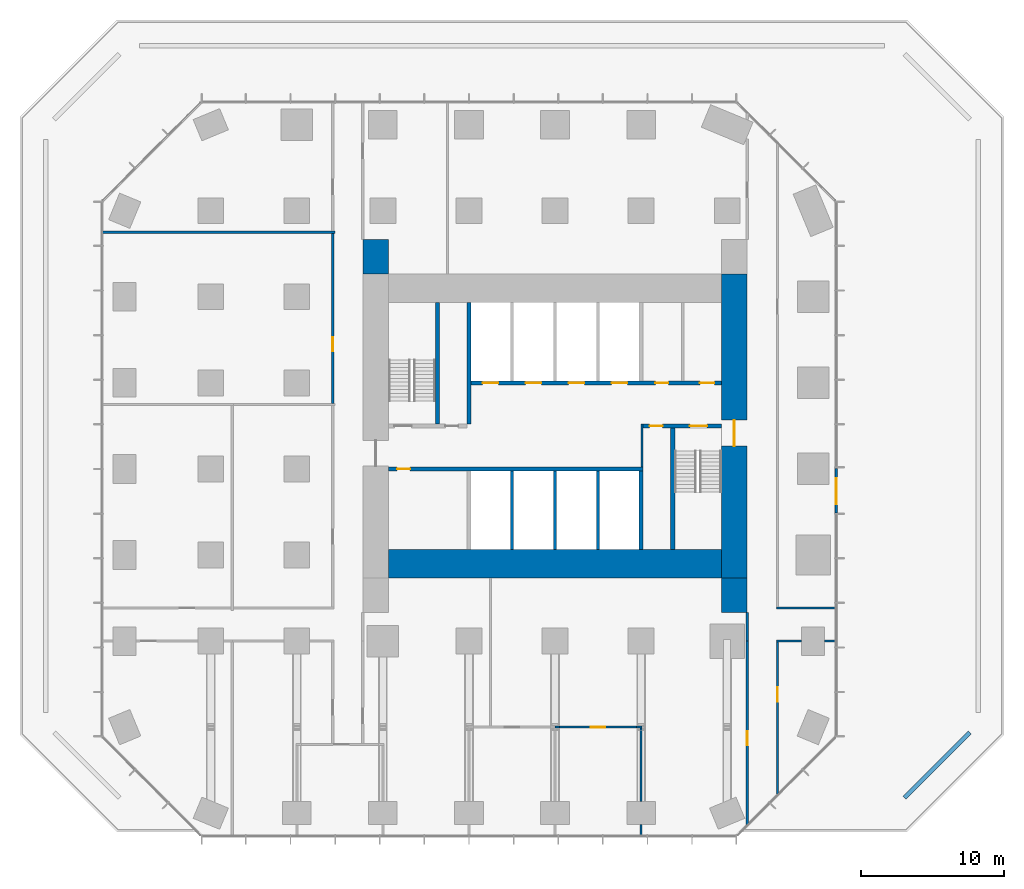
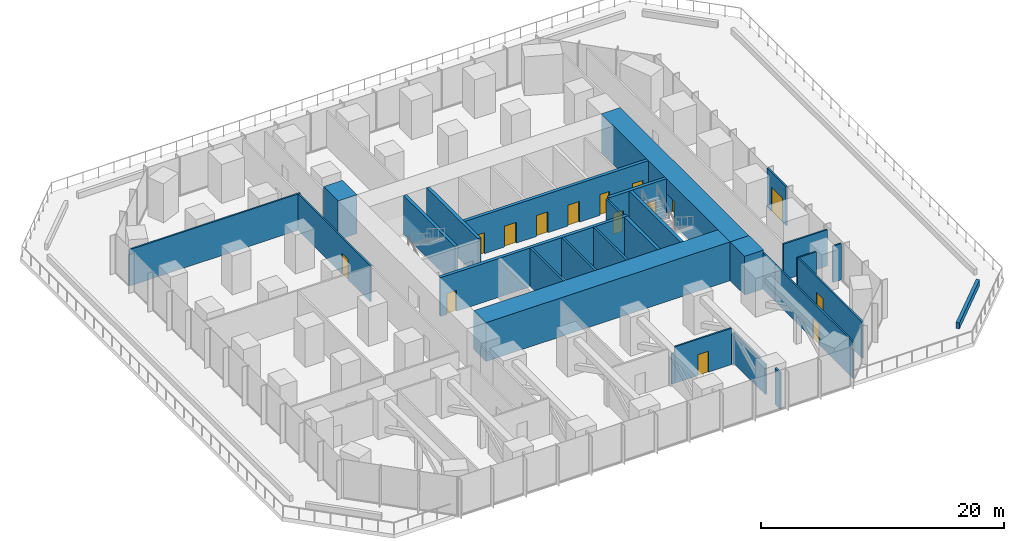
# One storey, part 9 of 11: 30 walls, 15 doors, 15 openings.
"""IFC4 building model written with IfcOpenShell, lengths in metres."""

from ifc_helpers import new_model, si_unit, direction, frame, frame_2d, origin, place, context, subcontext, project, spatial, rectangle, extrude, material, layer, layer_set, type_object, element, fill, save


model = new_model("IFC4")

# Units and contexts
model_context = context("Model", 3, precision=1e-05, world=origin(), true_north=direction((0.0, 1.0)))
body_context = subcontext(model_context, "Body", "Model", "MODEL_VIEW")
ifc_project = project(units=[si_unit("LENGTHUNIT", "METRE"), si_unit("AREAUNIT", "SQUARE_METRE"), si_unit("VOLUMEUNIT", "CUBIC_METRE"), si_unit("PLANEANGLEUNIT", "RADIAN"), si_unit("MASSUNIT", "GRAM", prefix="KILO")], contexts=[model_context])

# Site, building, storey
site_placement = place(None, origin())
site = spatial("IfcSite", under=ifc_project, at=site_placement, CompositionType="ELEMENT")
building_placement = place(site_placement, origin())
building = spatial("IfcBuilding", under=site, at=building_placement, Name="Highveld Stack Headquarters", CompositionType="ELEMENT")
storey_placement = place(building_placement, frame((0.0, 0.0, 18.199951171875)))
storey = spatial("IfcBuildingStorey", under=building, at=storey_placement, Name="L03", CompositionType="ELEMENT", Elevation=18.199951171875)

# Wall, opening, door
ifc_material_1 = material(Name="Concrete C60/75", Category="concrete")
ifc_layer_1 = layer(ifc_material_1, 1.800048828125)
ifc_layer_set_1 = layer_set([ifc_layer_1], Name="Concrete C60/75")
wall_type_1 = type_object("IfcWallType", Name="CORE WALL 1800 C60/75", PredefinedType="SHEAR", material=ifc_layer_set_1)
wall_1_placement = place(storey_placement, frame((18.5, -7.60009765625, 0.0), z_axis=(0.0, 0.0, 1.0), x_axis=(0.0, 1.0, 0.0)))
wall_1 = element("IfcWall", 1, at=wall_1_placement, inside=storey, type_object=wall_type_1, Name="Core wall E L03", PredefinedType="SHEAR", context=body_context, shape_type="SweptSolid", body=[
    extrude(rectangle(XDim=21.2001953125, YDim=1.800048828125, at=frame_2d((10.60009765625, 0.0))), origin(), (0.0, 0.0, 1.0), 3.900146484375),
])
opening_1_placement = place(wall_1_placement, frame((9.199951171875, 0.0, 0.0)))
opening_1 = element("IfcOpeningElement", 2, at=opening_1_placement, cuts=wall_1, Name="Opening L03-03", PredefinedType="OPENING", context=body_context, shape_type="SweptSolid", body=[
    extrude(rectangle(XDim=1.800048828125, YDim=2.39990234375, at=frame_2d((0.89990234375, 1.199951171875))), frame((0.0, 0.909912109375, 0.0), z_axis=(0.0, -1.0, 0.0), x_axis=(1.0, 0.0, 0.0)), (0.0, 0.0, 1.0), 1.820068359375),
])
ifc_material_2 = material(Name="Steel fire door", Category="steel")
door_type_1 = type_object("IfcDoorType", Name="LOBBY FIRE DOOR D4 1800x2400", OperationType="DOUBLE_DOOR_SINGLE_SWING", PredefinedType="DOOR", material=ifc_material_2)
door_1_placement = place(opening_1_placement, origin())
door_1 = element("IfcDoor", 3, at=door_1_placement, inside=storey, type_object=door_type_1, Name="Core east door L03", OperationType="DOUBLE_DOOR_SINGLE_SWING", OverallHeight=2.39990234375, OverallWidth=1.800048828125, PredefinedType="DOOR", context=body_context, shape_type="SweptSolid", body=[
    extrude(rectangle(XDim=1.800048828125, YDim=2.39990234375, at=frame_2d((0.89990234375, 1.199951171875))), frame((0.0, 0.02490234375, 0.0), z_axis=(0.0, -1.0, 0.0), x_axis=(1.0, 0.0, 0.0)), (0.0, 0.0, 1.0), 0.050048828125),
])
fill(opening_1, door_1)

# Wall
ifc_material_3 = material(Name="Concrete C60/75", Category="concrete")
ifc_layer_2 = layer(ifc_material_3, 2.0)
ifc_layer_set_2 = layer_set([ifc_layer_2], Name="Concrete C60/75")
wall_type_2 = type_object("IfcWallType", Name="CORE WALL 2000 C60/75", PredefinedType="SHEAR", material=ifc_layer_set_2)
wall_2_placement = place(storey_placement, frame((-5.60009765625, -6.60009765625, 0.0), z_axis=(0.0, 0.0, 1.0), x_axis=(1.0, 0.0, 0.0)))
element("IfcWall", 4, at=wall_2_placement, inside=storey, type_object=wall_type_2, Name="Core wall S L03", PredefinedType="SHEAR", context=body_context, shape_type="SweptSolid", body=[
    extrude(rectangle(XDim=23.2001953125, YDim=2.0, at=frame_2d((11.60009765625, 0.0))), origin(), (0.0, 0.0, 1.0), 3.900146484375),
])

# Wall, opening, door
ifc_material_4 = material(Name="Concrete C60/75", Category="concrete")
ifc_layer_3 = layer(ifc_material_4, 0.300048828125)
ifc_layer_set_3 = layer_set([ifc_layer_3], Name="Concrete C60/75")
wall_type_3 = type_object("IfcWallType", Name="CORE WALL 300 C60/75", PredefinedType="SHEAR", material=ifc_layer_set_3)
wall_3_placement = place(storey_placement, frame((-5.60009765625, 0.0, 0.0), z_axis=(0.0, 0.0, 1.0), x_axis=(1.0, 0.0, 0.0)))
wall_3 = element("IfcWall", 5, at=wall_3_placement, inside=storey, type_object=wall_type_3, Name="Core wall I-Y0 L03", PredefinedType="SHEAR", context=body_context, shape_type="SweptSolid", body=[
    extrude(rectangle(XDim=17.75, YDim=0.300048828125, at=frame_2d((8.875, 0.0))), origin(), (0.0, 0.0, 1.0), 3.900146484375),
])
opening_2_placement = place(wall_3_placement, frame((0.60009765625, 0.0, 0.0)))
opening_2 = element("IfcOpeningElement", 6, at=opening_2_placement, cuts=wall_3, Name="Opening L03-08", PredefinedType="OPENING", context=body_context, shape_type="SweptSolid", body=[
    extrude(rectangle(XDim=0.89990234375, YDim=2.10009765625, at=frame_2d((0.449951171875, 1.050048828125))), frame((0.0, 0.159912109375, 0.0), z_axis=(0.0, -1.0, 0.0), x_axis=(1.0, 0.0, 0.0)), (0.0, 0.0, 1.0), 0.320068359375),
])
ifc_material_5 = material(Name="Timber door, painted", Category="wood")
door_type_2 = type_object("IfcDoorType", Name="WC DOOR D1 900x2100", OperationType="SINGLE_SWING_LEFT", PredefinedType="DOOR", material=ifc_material_5)
door_2_placement = place(opening_2_placement, origin())
door_2 = element("IfcDoor", 7, at=door_2_placement, inside=storey, type_object=door_type_2, Name="Female WC door L03", OperationType="SINGLE_SWING_LEFT", OverallHeight=2.10009765625, OverallWidth=0.89990234375, PredefinedType="DOOR", context=body_context, shape_type="SweptSolid", body=[
    extrude(rectangle(XDim=0.89990234375, YDim=2.10009765625, at=frame_2d((0.449951171875, 1.050048828125))), frame((0.0, 0.02490234375, 0.0), z_axis=(0.0, -1.0, 0.0), x_axis=(1.0, 0.0, 0.0)), (0.0, 0.0, 1.0), 0.050048828125),
])
fill(opening_2, door_2)

# Wall, openings, doors
wall_4_placement = place(storey_placement, frame((12.14990234375, 3.0, 0.0), z_axis=(0.0, 0.0, 1.0), x_axis=(1.0, 0.0, 0.0)))
wall_4 = element("IfcWall", 8, at=wall_4_placement, inside=storey, type_object=wall_type_3, Name="Core wall I-Y3E L03", PredefinedType="SHEAR", context=body_context, shape_type="SweptSolid", body=[
    extrude(rectangle(XDim=5.4501953125, YDim=0.300048828125, at=frame_2d((2.72509765625, 0.0))), origin(), (0.0, 0.0, 1.0), 3.900146484375),
])
opening_3_placement = place(wall_4_placement, frame((3.25, 0.0, 0.0)))
opening_3 = element("IfcOpeningElement", 9, at=opening_3_placement, cuts=wall_4, Name="Opening L03-06", PredefinedType="OPENING", context=body_context, shape_type="SweptSolid", body=[
    extrude(rectangle(XDim=1.199951171875, YDim=2.10009765625, at=frame_2d((0.60009765625, 1.050048828125))), frame((0.0, 0.159912109375, 0.0), z_axis=(0.0, -1.0, 0.0), x_axis=(1.0, 0.0, 0.0)), (0.0, 0.0, 1.0), 0.320068359375),
])
opening_4_placement = place(wall_4_placement, frame((0.449951171875, 0.0, 0.0)))
opening_4 = element("IfcOpeningElement", 10, at=opening_4_placement, cuts=wall_4, Name="Opening L03-07", PredefinedType="OPENING", context=body_context, shape_type="SweptSolid", body=[
    extrude(rectangle(XDim=0.89990234375, YDim=2.10009765625, at=frame_2d((0.449951171875, 1.050048828125))), frame((0.0, 0.159912109375, 0.0), z_axis=(0.0, -1.0, 0.0), x_axis=(1.0, 0.0, 0.0)), (0.0, 0.0, 1.0), 0.320068359375),
])
ifc_material_6 = material(Name="Steel fire door", Category="steel")
door_type_3 = type_object("IfcDoorType", Name="RISER ACCESS DOOR D5 900x2100", OperationType="SINGLE_SWING_LEFT", PredefinedType="DOOR", material=ifc_material_6)
door_3_placement = place(opening_4_placement, origin())
door_3 = element("IfcDoor", 11, at=door_3_placement, inside=storey, type_object=door_type_3, Name="Riser R2 door L03", OperationType="SINGLE_SWING_LEFT", OverallHeight=2.10009765625, OverallWidth=0.89990234375, PredefinedType="DOOR", context=body_context, shape_type="SweptSolid", body=[
    extrude(rectangle(XDim=0.89990234375, YDim=2.10009765625, at=frame_2d((0.449951171875, 1.050048828125))), frame((0.0, 0.02490234375, 0.0), z_axis=(0.0, -1.0, 0.0), x_axis=(1.0, 0.0, 0.0)), (0.0, 0.0, 1.0), 0.050048828125),
])
fill(opening_4, door_3)
ifc_material_7 = material(Name="Steel fire door", Category="steel")
door_type_4 = type_object("IfcDoorType", Name="STAIR FIRE DOOR D3 1200x2100", OperationType="SINGLE_SWING_LEFT", PredefinedType="DOOR", material=ifc_material_7)
door_4_placement = place(opening_3_placement, origin())
door_4 = element("IfcDoor", 12, at=door_4_placement, inside=storey, type_object=door_type_4, Name="Stair S2 door L03", OperationType="SINGLE_SWING_RIGHT", OverallHeight=2.10009765625, OverallWidth=1.199951171875, PredefinedType="DOOR", context=body_context, shape_type="SweptSolid", body=[
    extrude(rectangle(XDim=1.199951171875, YDim=2.10009765625, at=frame_2d((0.60009765625, 1.050048828125))), frame((0.0, 0.02490234375, 0.0), z_axis=(0.0, -1.0, 0.0), x_axis=(1.0, 0.0, 0.0)), (0.0, 0.0, 1.0), 0.050048828125),
])
fill(opening_3, door_4)

wall_5_placement = place(storey_placement, frame((-0.14990234375, 6.0, 0.0), z_axis=(0.0, 0.0, 1.0), x_axis=(1.0, 0.0, 0.0)))
wall_5 = element("IfcWall", 13, at=wall_5_placement, inside=storey, type_object=wall_type_3, Name="Core wall I-Y6 L03", PredefinedType="SHEAR", context=body_context, shape_type="SweptSolid", body=[
    extrude(rectangle(XDim=17.75, YDim=0.300048828125, at=frame_2d((8.875, 0.0))), origin(), (0.0, 0.0, 1.0), 3.900146484375),
])
opening_5_placement = place(wall_5_placement, frame((13.14990234375, 0.0, 0.0)))
opening_5 = element("IfcOpeningElement", 14, at=opening_5_placement, cuts=wall_5, Name="Opening L03-09", PredefinedType="OPENING", context=body_context, shape_type="SweptSolid", body=[
    extrude(rectangle(XDim=0.89990234375, YDim=2.10009765625, at=frame_2d((0.449951171875, 1.050048828125))), frame((0.0, 0.159912109375, 0.0), z_axis=(0.0, -1.0, 0.0), x_axis=(1.0, 0.0, 0.0)), (0.0, 0.0, 1.0), 0.320068359375),
])
opening_6_placement = place(wall_5_placement, frame((16.25, 0.0, 0.0)))
opening_6 = element("IfcOpeningElement", 15, at=opening_6_placement, cuts=wall_5, Name="Opening L03-10", PredefinedType="OPENING", context=body_context, shape_type="SweptSolid", body=[
    extrude(rectangle(XDim=1.0, YDim=2.10009765625, at=frame_2d((0.5, 1.050048828125))), frame((0.0, 0.159912109375, 0.0), z_axis=(0.0, -1.0, 0.0), x_axis=(1.0, 0.0, 0.0)), (0.0, 0.0, 1.0), 0.320068359375),
])
opening_7_placement = place(wall_5_placement, frame((1.10009765625, 0.0, 0.0)))
opening_7 = element("IfcOpeningElement", 16, at=opening_7_placement, cuts=wall_5, Name="Opening LD", PredefinedType="OPENING", context=body_context, shape_type="SweptSolid", body=[
    extrude(rectangle(XDim=1.10009765625, YDim=2.10009765625, at=frame_2d((0.550048828125, 1.050048828125))), frame((0.0, 0.159912109375, 0.0), z_axis=(0.0, -1.0, 0.0), x_axis=(1.0, 0.0, 0.0)), (0.0, 0.0, 1.0), 0.320068359375),
])
opening_8_placement = place(wall_5_placement, frame((4.10009765625, 0.0, 0.0)))
opening_8 = element("IfcOpeningElement", 17, at=opening_8_placement, cuts=wall_5, Name="Opening LD", PredefinedType="OPENING", context=body_context, shape_type="SweptSolid", body=[
    extrude(rectangle(XDim=1.10009765625, YDim=2.10009765625, at=frame_2d((0.550048828125, 1.050048828125))), frame((0.0, 0.159912109375, 0.0), z_axis=(0.0, -1.0, 0.0), x_axis=(1.0, 0.0, 0.0)), (0.0, 0.0, 1.0), 0.320068359375),
])
opening_9_placement = place(wall_5_placement, frame((7.10009765625, 0.0, 0.0)))
opening_9 = element("IfcOpeningElement", 18, at=opening_9_placement, cuts=wall_5, Name="Opening LD", PredefinedType="OPENING", context=body_context, shape_type="SweptSolid", body=[
    extrude(rectangle(XDim=1.10009765625, YDim=2.10009765625, at=frame_2d((0.550048828125, 1.050048828125))), frame((0.0, 0.159912109375, 0.0), z_axis=(0.0, -1.0, 0.0), x_axis=(1.0, 0.0, 0.0)), (0.0, 0.0, 1.0), 0.320068359375),
])
opening_10_placement = place(wall_5_placement, frame((10.10009765625, 0.0, 0.0)))
opening_10 = element("IfcOpeningElement", 19, at=opening_10_placement, cuts=wall_5, Name="Opening LD", PredefinedType="OPENING", context=body_context, shape_type="SweptSolid", body=[
    extrude(rectangle(XDim=1.10009765625, YDim=2.10009765625, at=frame_2d((0.550048828125, 1.050048828125))), frame((0.0, 0.159912109375, 0.0), z_axis=(0.0, -1.0, 0.0), x_axis=(1.0, 0.0, 0.0)), (0.0, 0.0, 1.0), 0.320068359375),
])
ifc_material_8 = material(Name="Timber door, painted", Category="wood")
door_type_5 = type_object("IfcDoorType", Name="ACCESSIBLE WC DOOR D2 1000x2100", OperationType="SINGLE_SWING_RIGHT", PredefinedType="DOOR", material=ifc_material_8)
door_5_placement = place(opening_6_placement, origin())
door_5 = element("IfcDoor", 20, at=door_5_placement, inside=storey, type_object=door_type_5, Name="Accessible WC door L03", OperationType="SINGLE_SWING_RIGHT", OverallHeight=2.10009765625, OverallWidth=1.0, PredefinedType="DOOR", context=body_context, shape_type="SweptSolid", body=[
    extrude(rectangle(XDim=1.0, YDim=2.10009765625, at=frame_2d((0.5, 1.050048828125))), frame((0.0, 0.02490234375, 0.0), z_axis=(0.0, -1.0, 0.0), x_axis=(1.0, 0.0, 0.0)), (0.0, 0.0, 1.0), 0.050048828125),
])
fill(opening_6, door_5)
ifc_material_9 = material(Name="Stainless steel lift landing door", Category="steel")
door_type_6 = type_object("IfcDoorType", Name="LIFT LANDING DOOR LD 1100x2100", OperationType="DOUBLE_DOOR_SLIDING", PredefinedType="USERDEFINED", material=ifc_material_9)
door_6_placement = place(opening_7_placement, origin())
door_6 = element("IfcDoor", 21, at=door_6_placement, inside=storey, type_object=door_type_6, Name="Lift landing door FF1 L03", ObjectType="LIFT LANDING DOOR", OperationType="DOUBLE_DOOR_SLIDING", OverallHeight=2.10009765625, OverallWidth=1.10009765625, PredefinedType="USERDEFINED", context=body_context, shape_type="SweptSolid", body=[
    extrude(rectangle(XDim=1.10009765625, YDim=2.10009765625, at=frame_2d((0.550048828125, 1.050048828125))), frame((0.0, 0.02490234375, 0.0), z_axis=(0.0, -1.0, 0.0), x_axis=(1.0, 0.0, 0.0)), (0.0, 0.0, 1.0), 0.050048828125),
])
fill(opening_7, door_6)
door_7_placement = place(opening_8_placement, origin())
door_7 = element("IfcDoor", 22, at=door_7_placement, inside=storey, type_object=door_type_6, Name="Lift landing door FF2 L03", ObjectType="LIFT LANDING DOOR", OperationType="DOUBLE_DOOR_SLIDING", OverallHeight=2.10009765625, OverallWidth=1.10009765625, PredefinedType="USERDEFINED", context=body_context, shape_type="SweptSolid", body=[
    extrude(rectangle(XDim=1.10009765625, YDim=2.10009765625, at=frame_2d((0.550048828125, 1.050048828125))), frame((0.0, 0.02490234375, 0.0), z_axis=(0.0, -1.0, 0.0), x_axis=(1.0, 0.0, 0.0)), (0.0, 0.0, 1.0), 0.050048828125),
])
fill(opening_8, door_7)
door_8_placement = place(opening_9_placement, origin())
door_8 = element("IfcDoor", 23, at=door_8_placement, inside=storey, type_object=door_type_6, Name="Lift landing door A1 L03", ObjectType="LIFT LANDING DOOR", OperationType="DOUBLE_DOOR_SLIDING", OverallHeight=2.10009765625, OverallWidth=1.10009765625, PredefinedType="USERDEFINED", context=body_context, shape_type="SweptSolid", body=[
    extrude(rectangle(XDim=1.10009765625, YDim=2.10009765625, at=frame_2d((0.550048828125, 1.050048828125))), frame((0.0, 0.02490234375, 0.0), z_axis=(0.0, -1.0, 0.0), x_axis=(1.0, 0.0, 0.0)), (0.0, 0.0, 1.0), 0.050048828125),
])
fill(opening_9, door_8)
door_9_placement = place(opening_10_placement, origin())
door_9 = element("IfcDoor", 24, at=door_9_placement, inside=storey, type_object=door_type_6, Name="Lift landing door A2 L03", ObjectType="LIFT LANDING DOOR", OperationType="DOUBLE_DOOR_SLIDING", OverallHeight=2.10009765625, OverallWidth=1.10009765625, PredefinedType="USERDEFINED", context=body_context, shape_type="SweptSolid", body=[
    extrude(rectangle(XDim=1.10009765625, YDim=2.10009765625, at=frame_2d((0.550048828125, 1.050048828125))), frame((0.0, 0.02490234375, 0.0), z_axis=(0.0, -1.0, 0.0), x_axis=(1.0, 0.0, 0.0)), (0.0, 0.0, 1.0), 0.050048828125),
])
fill(opening_10, door_9)
door_10_placement = place(opening_5_placement, origin())
door_10 = element("IfcDoor", 25, at=door_10_placement, inside=storey, type_object=door_type_2, Name="Male WC door L03", OperationType="SINGLE_SWING_RIGHT", OverallHeight=2.10009765625, OverallWidth=0.89990234375, PredefinedType="DOOR", context=body_context, shape_type="SweptSolid", body=[
    extrude(rectangle(XDim=0.89990234375, YDim=2.10009765625, at=frame_2d((0.449951171875, 1.050048828125))), frame((0.0, 0.02490234375, 0.0), z_axis=(0.0, -1.0, 0.0), x_axis=(1.0, 0.0, 0.0)), (0.0, 0.0, 1.0), 0.050048828125),
])
fill(opening_5, door_10)

# Walls
wall_6_placement = place(storey_placement, frame((0.0, 3.14990234375, 0.0), z_axis=(0.0, 0.0, 1.0), x_axis=(0.0, 1.0, 0.0)))
element("IfcWall", 26, at=wall_6_placement, inside=storey, type_object=wall_type_3, Name="Core wall I-X0N L03", PredefinedType="SHEAR", context=body_context, shape_type="SweptSolid", body=[
    extrude(rectangle(XDim=8.4501953125, YDim=0.300048828125, at=frame_2d((4.22509765625, 0.0))), origin(), (0.0, 0.0, 1.0), 3.900146484375),
])
wall_7_placement = place(storey_placement, frame((12.0, -5.60009765625, 0.0), z_axis=(0.0, 0.0, 1.0), x_axis=(0.0, 1.0, 0.0)))
element("IfcWall", 27, at=wall_7_placement, inside=storey, type_object=wall_type_3, Name="Core wall I-X12S L03", PredefinedType="SHEAR", context=body_context, shape_type="SweptSolid", body=[
    extrude(rectangle(XDim=5.4501953125, YDim=0.300048828125, at=frame_2d((2.72509765625, 0.0))), origin(), (0.0, 0.0, 1.0), 3.900146484375),
])
for number, where, z_axis, x_axis, name in (
    (28, (-2.199951171875, 3.14990234375, 0.0), (0.0, 0.0, 1.0), (0.0, 1.0, 0.0), "Core wall I-RW L03"),
    (29, (14.199951171875, -5.60009765625, 0.0), (0.0, 0.0, 1.0), (0.0, 1.0, 0.0), "Core wall I-RE L03"),
):
    element("IfcWall", number, at=place(storey_placement, frame(where, z_axis=z_axis, x_axis=x_axis)), inside=storey, type_object=wall_type_3, Name=name, PredefinedType="SHEAR", context=body_context, shape_type="SweptSolid", body=[
        extrude(rectangle(XDim=8.4501953125, YDim=0.300048828125, at=frame_2d((4.22509765625, 0.0))), origin(), (0.0, 0.0, 1.0), 3.900146484375),
    ])
ifc_material_10 = material(Name="Concrete C60/75", Category="concrete")
ifc_layer_4 = layer(ifc_material_10, 1.800048828125)
ifc_layer_set_4 = layer_set([ifc_layer_4], Name="Concrete C60/75")
wall_type_4 = type_object("IfcWallType", Name="CORE WING WALL 1800 C60/75", PredefinedType="SHEAR", material=ifc_layer_set_4)
for number, where, z_axis, x_axis, name in (
    (30, (-6.5, 13.60009765625, 0.0), (0.0, 0.0, 1.0), (0.0, 1.0, 0.0), "Core wing wall WN L03"),
    (31, (18.5, -10.0, 0.0), (0.0, 0.0, 1.0), (0.0, 1.0, 0.0), "Core wing wall ES L03"),
):
    element("IfcWall", number, at=place(storey_placement, frame(where, z_axis=z_axis, x_axis=x_axis)), inside=storey, type_object=wall_type_4, Name=name, PredefinedType="SHEAR", context=body_context, shape_type="SweptSolid", body=[
        extrude(rectangle(XDim=2.39990234375, YDim=1.800048828125, at=frame_2d((1.199951171875, 0.0))), origin(), (0.0, 0.0, 1.0), 3.900146484375),
    ])
ifc_material_11 = material(Name="Concrete blockwork, plastered", Category="masonry")
ifc_layer_5 = layer(ifc_material_11, 0.14990234375)
ifc_layer_set_5 = layer_set([ifc_layer_5], Name="Concrete blockwork, plastered")
wall_type_5 = type_object("IfcWallType", Name="FIRE PARTITION 150 BLOCKWORK", PredefinedType="PARTITIONING", material=ifc_layer_set_5)
wall_8_placement = place(storey_placement, frame((12.074951171875, 0.14990234375, 0.0), z_axis=(0.0, 0.0, 1.0), x_axis=(0.0, 1.0, 0.0)))
element("IfcWall", 32, at=wall_8_placement, inside=storey, type_object=wall_type_5, Name="Riser R2 enclosure L03", PredefinedType="PARTITIONING", context=body_context, shape_type="SweptSolid", body=[
    extrude(rectangle(XDim=3.0, YDim=0.14990234375, at=frame_2d((1.5, 0.0))), origin(), (0.0, 0.0, 1.0), 3.650146484375),
])

# Wall, opening, door
ifc_material_12 = material(Name="Aluminium framed glazed screen", Category="aluminium")
ifc_layer_6 = layer(ifc_material_12, 0.14990234375)
ifc_layer_set_6 = layer_set([ifc_layer_6], Name="Aluminium framed glazed screen")
wall_type_6 = type_object("IfcWallType", Name="GLAZED DOOR SCREEN 150", PredefinedType="USERDEFINED", material=ifc_layer_set_6)
wall_9_placement = place(storey_placement, frame((25.60009765625, 0.04248046875, 0.0), z_axis=(0.0, 0.0, 1.0), x_axis=(0.0, -1.0, 0.0)))
wall_9 = element("IfcWall", 33, at=wall_9_placement, inside=storey, type_object=wall_type_6, Name="Glazed door screen L03 E", ObjectType="GLAZED SCREEN", PredefinedType="USERDEFINED", context=body_context, shape_type="SweptSolid", body=[
    extrude(rectangle(XDim=3.120361328125, YDim=0.14990234375, at=frame_2d((1.56005859375, 0.0))), origin(), (0.0, 0.0, 1.0), 3.900146484375),
])
opening_11_placement = place(wall_9_placement, frame((0.69775390625, 0.0, 0.0)))
opening_11 = element("IfcOpeningElement", 34, at=opening_11_placement, cuts=wall_9, Name="Opening L03-01", PredefinedType="OPENING", context=body_context, shape_type="SweptSolid", body=[
    extrude(rectangle(XDim=1.800048828125, YDim=2.39990234375, at=frame_2d((0.89990234375, 1.199951171875))), frame((0.0, 0.0849609375, 0.0), z_axis=(0.0, -1.0, 0.0), x_axis=(1.0, 0.0, 0.0)), (0.0, 0.0, 1.0), 0.169921875),
])
ifc_material_13 = material(Name="Aluminium framed glass door", Category="aluminium")
door_type_7 = type_object("IfcDoorType", Name="TERRACE DOOR D8 1800x2400", OperationType="DOUBLE_DOOR_SINGLE_SWING", PredefinedType="DOOR", material=ifc_material_13)
door_11_placement = place(opening_11_placement, origin())
door_11 = element("IfcDoor", 35, at=door_11_placement, inside=storey, type_object=door_type_7, Name="Terrace door L03 E", OperationType="DOUBLE_DOOR_SINGLE_SWING", OverallHeight=2.39990234375, OverallWidth=1.800048828125, PredefinedType="DOOR", context=body_context, shape_type="SweptSolid", body=[
    extrude(rectangle(XDim=1.800048828125, YDim=2.39990234375, at=frame_2d((0.89990234375, 1.199951171875))), frame((0.0, 0.02490234375, 0.0), z_axis=(0.0, -1.0, 0.0), x_axis=(1.0, 0.0, 0.0)), (0.0, 0.0, 1.0), 0.050048828125),
])
fill(opening_11, door_11)

# Walls
ifc_material_14 = material(Name="Concrete blockwork, fair-faced", Category="masonry")
ifc_layer_7 = layer(ifc_material_14, 0.199951171875)
ifc_layer_set_7 = layer_set([ifc_layer_7], Name="Concrete blockwork, fair-faced")
wall_type_7 = type_object("IfcWallType", Name="LIFT SHAFT ENCLOSURE WALL 200 BLOCKWORK", PredefinedType="SOLIDWALL", material=ifc_layer_set_7)
for number, where, z_axis, x_axis, name in (
    (36, (3.0, -5.60009765625, 0.0), (0.0, 0.0, 1.0), (0.0, 1.0, 0.0), "Lift shaft wall L03"),
    (37, (6.0, -5.60009765625, 0.0), (0.0, 0.0, 1.0), (0.0, 1.0, 0.0), "Lift shaft wall L03"),
    (38, (9.0, -5.60009765625, 0.0), (0.0, 0.0, 1.0), (0.0, 1.0, 0.0), "Lift shaft wall L03"),
):
    element("IfcWall", number, at=place(storey_placement, frame(where, z_axis=z_axis, x_axis=x_axis)), inside=storey, type_object=wall_type_7, Name=name, PredefinedType="SOLIDWALL", context=body_context, shape_type="SweptSolid", body=[
        extrude(rectangle(XDim=5.4501953125, YDim=0.199951171875, at=frame_2d((2.72509765625, 0.0))), origin(), (0.0, 0.0, 1.0), 3.900146484375),
    ])
ifc_material_15 = material(Name="Gypsum plasterboard on steel studs", Category="steel")
ifc_layer_8 = layer(ifc_material_15, 0.14990234375)
ifc_layer_set_8 = layer_set([ifc_layer_8], Name="Gypsum plasterboard on steel studs")
wall_type_8 = type_object("IfcWallType", Name="PARTITION 150 PLASTERBOARD", PredefinedType="PARTITIONING", material=ifc_layer_set_8)
wall_10_placement = place(storey_placement, frame((6.0, -18.0, 0.0), z_axis=(0.0, 0.0, 1.0), x_axis=(1.0, 0.0, 0.0)))
element("IfcWall", 39, at=wall_10_placement, inside=storey, type_object=wall_type_8, Name="Partition Office L03", PredefinedType="PARTITIONING", context=body_context, shape_type="SweptSolid", body=[
    extrude(rectangle(XDim=0.31005859375, YDim=0.14990234375, at=frame_2d((0.155029296875, 0.0))), origin(), (0.0, 0.0, 1.0), 3.050048828125),
])

# Wall, opening, door
wall_11_placement = place(storey_placement, frame((6.31005859375, -18.0, 0.0), z_axis=(0.0, 0.0, 1.0), x_axis=(1.0, 0.0, 0.0)))
wall_11 = element("IfcWall", 40, at=wall_11_placement, inside=storey, type_object=wall_type_8, Name="Partition Office L03", PredefinedType="PARTITIONING", context=body_context, shape_type="SweptSolid", body=[
    extrude(rectangle(XDim=5.3798828125, YDim=0.14990234375, at=frame_2d((2.68994140625, 0.0))), origin(), (0.0, 0.0, 1.0), 3.650146484375),
])
opening_12_placement = place(wall_11_placement, frame((2.18994140625, 0.0, 0.0)))
opening_12 = element("IfcOpeningElement", 41, at=opening_12_placement, cuts=wall_11, Name="Opening L03-13", PredefinedType="OPENING", context=body_context, shape_type="SweptSolid", body=[
    extrude(rectangle(XDim=1.0, YDim=2.10009765625, at=frame_2d((0.5, 1.050048828125))), frame((0.0, 0.0849609375, 0.0), z_axis=(0.0, -1.0, 0.0), x_axis=(1.0, 0.0, 0.0)), (0.0, 0.0, 1.0), 0.169921875),
])
ifc_material_16 = material(Name="Timber door, oiled ash", Category="wood")
door_type_8 = type_object("IfcDoorType", Name="ROOM DOOR D6 1000x2100", OperationType="SINGLE_SWING_LEFT", PredefinedType="DOOR", material=ifc_material_16)
door_12_placement = place(opening_12_placement, origin())
door_12 = element("IfcDoor", 42, at=door_12_placement, inside=storey, type_object=door_type_8, Name="Office door 1 L03", OperationType="SINGLE_SWING_RIGHT", OverallHeight=2.10009765625, OverallWidth=1.0, PredefinedType="DOOR", context=body_context, shape_type="SweptSolid", body=[
    extrude(rectangle(XDim=1.0, YDim=2.10009765625, at=frame_2d((0.5, 1.050048828125))), frame((0.0, 0.02490234375, 0.0), z_axis=(0.0, -1.0, 0.0), x_axis=(1.0, 0.0, 0.0)), (0.0, 0.0, 1.0), 0.050048828125),
])
fill(opening_12, door_12)

# Walls
wall_12_placement = place(storey_placement, frame((11.68994140625, -18.0, 0.0), z_axis=(0.0, 0.0, 1.0), x_axis=(1.0, 0.0, 0.0)))
element("IfcWall", 43, at=wall_12_placement, inside=storey, type_object=wall_type_8, Name="Partition Office L03", PredefinedType="PARTITIONING", context=body_context, shape_type="SweptSolid", body=[
    extrude(rectangle(XDim=0.385009765625, YDim=0.14990234375, at=frame_2d((0.1923828125, 0.0))), origin(), (0.0, 0.0, 1.0), 3.050048828125),
])
wall_13_placement = place(storey_placement, frame((12.0, -25.60009765625, 0.0), z_axis=(0.0, 0.0, 1.0), x_axis=(0.0, 1.0, 0.0)))
element("IfcWall", 44, at=wall_13_placement, inside=storey, type_object=wall_type_8, Name="Partition Office L03", PredefinedType="PARTITIONING", context=body_context, shape_type="SweptSolid", body=[
    extrude(rectangle(XDim=0.800048828125, YDim=0.14990234375, at=frame_2d((0.39990234375, 0.0))), origin(), (0.0, 0.0, 1.0), 3.650146484375),
])
wall_14_placement = place(storey_placement, frame((12.0, -23.199951171875, 0.0), z_axis=(0.0, 0.0, 1.0), x_axis=(0.0, 1.0, 0.0)))
element("IfcWall", 45, at=wall_14_placement, inside=storey, type_object=wall_type_8, Name="Partition Office L03", PredefinedType="PARTITIONING", context=body_context, shape_type="SweptSolid", body=[
    extrude(rectangle(XDim=5.125, YDim=0.14990234375, at=frame_2d((2.5625, 0.0))), origin(), (0.0, 0.0, 1.0), 3.050048828125),
])
wall_15_placement = place(storey_placement, frame((-25.60009765625, 16.5, 0.0), z_axis=(0.0, 0.0, 1.0), x_axis=(1.0, 0.0, 0.0)))
element("IfcWall", 46, at=wall_15_placement, inside=storey, type_object=wall_type_8, Name="Partition office neighbourhood L03", PredefinedType="PARTITIONING", context=body_context, shape_type="SweptSolid", body=[
    extrude(rectangle(XDim=16.25, YDim=0.14990234375, at=frame_2d((8.125, 0.0))), origin(), (0.0, 0.0, 1.0), 3.650146484375),
])

# Wall, opening, door
wall_16_placement = place(storey_placement, frame((-9.5, 4.574951171875, 0.0), z_axis=(0.0, 0.0, 1.0), x_axis=(0.0, 1.0, 0.0)))
wall_16 = element("IfcWall", 47, at=wall_16_placement, inside=storey, type_object=wall_type_8, Name="Partition office neighbourhood L03", PredefinedType="PARTITIONING", context=body_context, shape_type="SweptSolid", body=[
    extrude(rectangle(XDim=11.85009765625, YDim=0.14990234375, at=frame_2d((5.925048828125, 0.0))), origin(), (0.0, 0.0, 1.0), 3.650146484375),
])
opening_13_placement = place(wall_16_placement, frame((3.625, 0.0, 0.0)))
opening_13 = element("IfcOpeningElement", 48, at=opening_13_placement, cuts=wall_16, Name="Opening L03-20", PredefinedType="OPENING", context=body_context, shape_type="SweptSolid", body=[
    extrude(rectangle(XDim=1.0, YDim=2.10009765625, at=frame_2d((0.5, 1.050048828125))), frame((0.0, 0.0849609375, 0.0), z_axis=(0.0, -1.0, 0.0), x_axis=(1.0, 0.0, 0.0)), (0.0, 0.0, 1.0), 0.169921875),
])
door_13_placement = place(opening_13_placement, origin())
door_13 = element("IfcDoor", 49, at=door_13_placement, inside=storey, type_object=door_type_8, Name="Office neighbourhood door L03", OperationType="SINGLE_SWING_LEFT", OverallHeight=2.10009765625, OverallWidth=1.0, PredefinedType="DOOR", context=body_context, shape_type="SweptSolid", body=[
    extrude(rectangle(XDim=1.0, YDim=2.10009765625, at=frame_2d((0.5, 1.050048828125))), frame((0.0, 0.02490234375, 0.0), z_axis=(0.0, -1.0, 0.0), x_axis=(1.0, 0.0, 0.0)), (0.0, 0.0, 1.0), 0.050048828125),
])
fill(opening_13, door_13)

wall_17_placement = place(storey_placement, frame((19.39990234375, -24.77099609375, 0.0), z_axis=(0.0, 0.0, 1.0), x_axis=(0.0, 1.0, 0.0)))
wall_17 = element("IfcWall", 50, at=wall_17_placement, inside=storey, type_object=wall_type_8, Name="Partition office neighbourhood L03", PredefinedType="PARTITIONING", context=body_context, shape_type="SweptSolid", body=[
    extrude(rectangle(XDim=12.77099609375, YDim=0.14990234375, at=frame_2d((6.385498046875, 0.0))), origin(), (0.0, 0.0, 1.0), 3.650146484375),
])
opening_14_placement = place(wall_17_placement, frame((5.5, 0.0, 0.0)))
opening_14 = element("IfcOpeningElement", 51, at=opening_14_placement, cuts=wall_17, Name="Opening L03-24", PredefinedType="OPENING", context=body_context, shape_type="SweptSolid", body=[
    extrude(rectangle(XDim=1.0, YDim=2.10009765625, at=frame_2d((0.5, 1.050048828125))), frame((0.0, 0.0849609375, 0.0), z_axis=(0.0, -1.0, 0.0), x_axis=(1.0, 0.0, 0.0)), (0.0, 0.0, 1.0), 0.169921875),
])
door_14_placement = place(opening_14_placement, origin())
door_14 = element("IfcDoor", 52, at=door_14_placement, inside=storey, type_object=door_type_8, Name="Office neighbourhood door L03", OperationType="SINGLE_SWING_LEFT", OverallHeight=2.10009765625, OverallWidth=1.0, PredefinedType="DOOR", context=body_context, shape_type="SweptSolid", body=[
    extrude(rectangle(XDim=1.0, YDim=2.10009765625, at=frame_2d((0.5, 1.050048828125))), frame((0.0, 0.02490234375, 0.0), z_axis=(0.0, -1.0, 0.0), x_axis=(1.0, 0.0, 0.0)), (0.0, 0.0, 1.0), 0.050048828125),
])
fill(opening_14, door_14)

# Wall
wall_18_placement = place(storey_placement, frame((19.39990234375, -12.0, 0.0), z_axis=(0.0, 0.0, 1.0), x_axis=(0.0, 1.0, 0.0)))
element("IfcWall", 53, at=wall_18_placement, inside=storey, type_object=wall_type_8, Name="Partition office neighbourhood L03", PredefinedType="PARTITIONING", context=body_context, shape_type="SweptSolid", body=[
    extrude(rectangle(XDim=2.0, YDim=0.14990234375, at=frame_2d((1.0, 0.0))), origin(), (0.0, 0.0, 1.0), 3.650146484375),
])

# Wall, opening, door
wall_19_placement = place(storey_placement, frame((21.5, -22.6708984375, 0.0), z_axis=(0.0, 0.0, 1.0), x_axis=(0.0, 1.0, 0.0)))
wall_19 = element("IfcWall", 54, at=wall_19_placement, inside=storey, type_object=wall_type_8, Name="Partition office neighbourhood L03", PredefinedType="PARTITIONING", context=body_context, shape_type="SweptSolid", body=[
    extrude(rectangle(XDim=10.595947265625, YDim=0.14990234375, at=frame_2d((5.2978515625, 0.0))), origin(), (0.0, 0.0, 1.0), 3.650146484375),
])
opening_15_placement = place(wall_19_placement, frame((6.4541015625, 0.0, 0.0)))
opening_15 = element("IfcOpeningElement", 55, at=opening_15_placement, cuts=wall_19, Name="Opening L03-16", PredefinedType="OPENING", context=body_context, shape_type="SweptSolid", body=[
    extrude(rectangle(XDim=1.0, YDim=2.10009765625, at=frame_2d((0.5, 1.050048828125))), frame((0.0, 0.0849609375, 0.0), z_axis=(0.0, -1.0, 0.0), x_axis=(1.0, 0.0, 0.0)), (0.0, 0.0, 1.0), 0.169921875),
])
door_15_placement = place(opening_15_placement, origin())
door_15 = element("IfcDoor", 56, at=door_15_placement, inside=storey, type_object=door_type_8, Name="Office neighbourhood door L03", OperationType="SINGLE_SWING_RIGHT", OverallHeight=2.10009765625, OverallWidth=1.0, PredefinedType="DOOR", context=body_context, shape_type="SweptSolid", body=[
    extrude(rectangle(XDim=1.0, YDim=2.10009765625, at=frame_2d((0.5, 1.050048828125))), frame((0.0, 0.02490234375, 0.0), z_axis=(0.0, -1.0, 0.0), x_axis=(1.0, 0.0, 0.0)), (0.0, 0.0, 1.0), 0.050048828125),
])
fill(opening_15, door_15)

# Walls
wall_20_placement = place(storey_placement, frame((21.425048828125, -12.0, 0.0), z_axis=(0.0, 0.0, 1.0), x_axis=(1.0, 0.0, 0.0)))
element("IfcWall", 57, at=wall_20_placement, inside=storey, type_object=wall_type_8, Name="Partition office neighbourhood L03", PredefinedType="PARTITIONING", context=body_context, shape_type="SweptSolid", body=[
    extrude(rectangle(XDim=1.77490234375, YDim=0.14990234375, at=frame_2d((0.887451171875, 0.0))), origin(), (0.0, 0.0, 1.0), 3.650146484375),
])
wall_21_placement = place(storey_placement, frame((24.800048828125, -12.0, 0.0), z_axis=(0.0, 0.0, 1.0), x_axis=(1.0, 0.0, 0.0)))
element("IfcWall", 58, at=wall_21_placement, inside=storey, type_object=wall_type_8, Name="Partition office neighbourhood L03", PredefinedType="PARTITIONING", context=body_context, shape_type="SweptSolid", body=[
    extrude(rectangle(XDim=0.800048828125, YDim=0.14990234375, at=frame_2d((0.39990234375, 0.0))), origin(), (0.0, 0.0, 1.0), 3.650146484375),
])
wall_22_placement = place(storey_placement, frame((21.425048828125, -9.699951171875, 0.0), z_axis=(0.0, 0.0, 1.0), x_axis=(1.0, 0.0, 0.0)))
element("IfcWall", 59, at=wall_22_placement, inside=storey, type_object=wall_type_8, Name="Partition office neighbourhood L03", PredefinedType="PARTITIONING", context=body_context, shape_type="SweptSolid", body=[
    extrude(rectangle(XDim=4.175048828125, YDim=0.14990234375, at=frame_2d((2.08740234375, 0.0))), origin(), (0.0, 0.0, 1.0), 3.650146484375),
])
ifc_material_17 = material(Name="Concrete C40/50, precast planter", Category="concrete")
ifc_layer_9 = layer(ifc_material_17, 0.300048828125)
ifc_layer_set_9 = layer_set([ifc_layer_9], Name="Concrete C40/50, precast planter")
wall_type_9 = type_object("IfcWallType", Name="PLANTER WALL PL1 300", PredefinedType="USERDEFINED", material=ifc_layer_set_9)
wall_23_placement = place(storey_placement, frame((34.922607421875, -18.370361328125, 0.0), z_axis=(0.0, 0.0, 1.0), x_axis=(-0.707106781187, -0.707106781187, 0.0)))
element("IfcWall", 60, at=wall_23_placement, inside=storey, type_object=wall_type_9, Name="Planter L03 1.8", ObjectType="PLANTER", PredefinedType="USERDEFINED", context=body_context, shape_type="SweptSolid", body=[
    extrude(rectangle(XDim=6.437744140625, YDim=0.300048828125, at=frame_2d((3.21875, 0.0))), origin(), (0.0, 0.0, 1.0), 0.60009765625),
])

save(model, "model.ifc")
